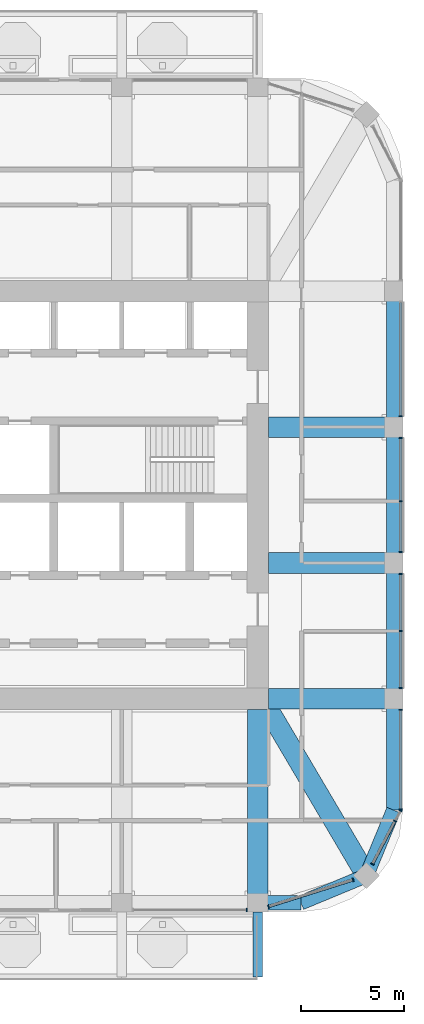
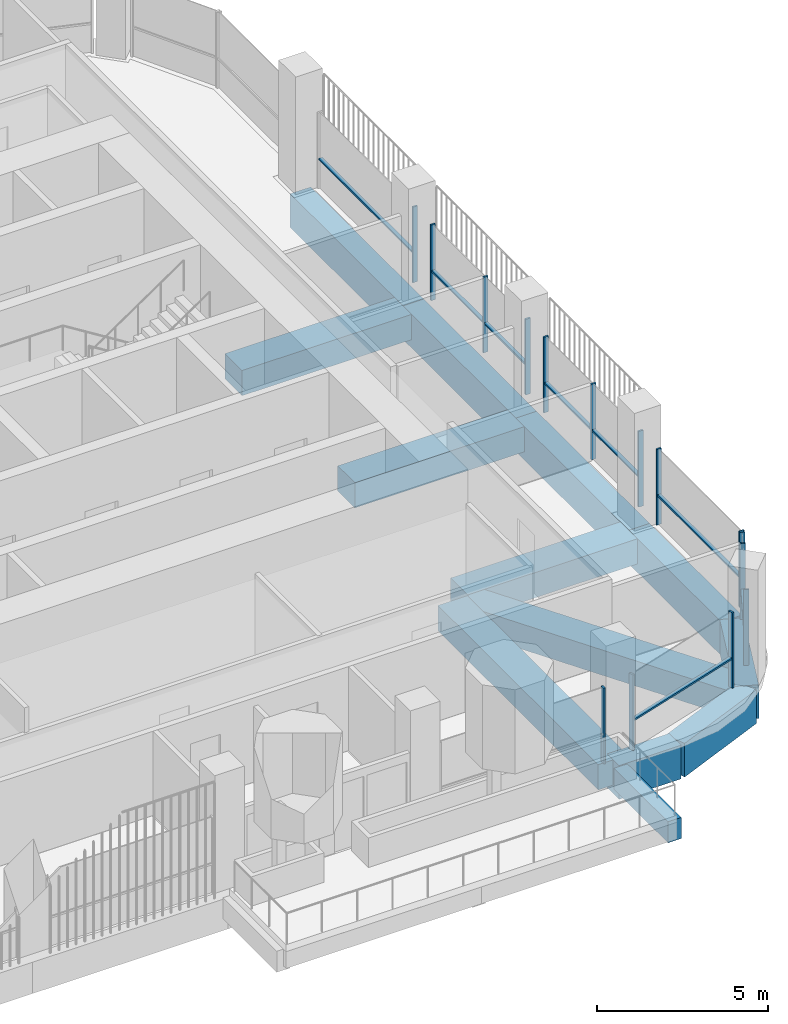
# One storey, part 5 of 21: 23 members, 13 beams, 7 elements without a shape of their own.
"""IFC4 building model written with IfcOpenShell, lengths in metres."""

import ifcopenshell
import ifcopenshell.guid

model = None  # the IFC model being written
_history = None  # IfcOwnerHistory: only IFC2X3 demands one
_inside = {}  # id of a spatial element -> (the spatial element, [elements in it])
_under = {}  # id of a project, library or spatial element -> (it, [spatial elements below it])
_declared = {}  # id of a project -> (the project, [libraries it declares])
_typed = {}  # id of a type object -> (the type object, [elements of that type])
_made_of = {}  # id of a material, layer set ... -> (it, [elements and type objects made of it])


def new_model(schema):
    """Start an empty IFC model of exactly this schema.

    Asked for "IFC4X3", IfcOpenShell would pick the latest addendum, in which some entities
    have other attributes; the version numbers below select the first issue.
    IFC2X3 requires an IfcOwnerHistory on every rooted entity: one is made here for all.
    """
    global model, _history
    if schema == "IFC4X3":
        model = ifcopenshell.file(schema_version=(4, 3, 0, 0))
    else:
        model = ifcopenshell.file(schema=schema)
    _inside.clear()
    _under.clear()
    _declared.clear()
    _typed.clear()
    _made_of.clear()
    _history = None
    if model.schema == "IFC2X3":
        org = make("IfcOrganization", Name="unknown")
        user = make(
            "IfcPersonAndOrganization",
            ThePerson=make("IfcPerson", FamilyName="unknown"),
            TheOrganization=org,
        )
        app = make(
            "IfcApplication",
            ApplicationDeveloper=org,
            Version="unknown",
            ApplicationFullName="unknown",
            ApplicationIdentifier="unknown",
        )
        _history = make(
            "IfcOwnerHistory",
            OwningUser=user,
            OwningApplication=app,
            ChangeAction="ADDED",
            CreationDate=0,
        )
    return model


def make(cls, **values):
    """One entity of the class cls with the attributes given. An attribute that is None is left unset."""
    return model.create_entity(
        cls, **{name: value for name, value in values.items() if value is not None}
    )


def rooted(cls, **values):
    """An entity with a GlobalId (a new one), such as an element, a storey or a relation."""
    return make(cls, GlobalId=ifcopenshell.guid.new(), OwnerHistory=_history, **values)


def si_unit(unit_type, name, prefix=None):
    """IfcSIUnit, for example si_unit("LENGTHUNIT", "METRE", prefix="MILLI")."""
    return make("IfcSIUnit", UnitType=unit_type, Prefix=prefix, Name=name)


def assignment(units):
    """IfcUnitAssignment: the units of a project."""
    return None if units is None else make("IfcUnitAssignment", Units=units)


def point(xyz):
    """IfcCartesianPoint."""
    return None if xyz is None else make("IfcCartesianPoint", Coordinates=xyz)


def direction(xyz):
    """IfcDirection."""
    return None if xyz is None else make("IfcDirection", DirectionRatios=xyz)


def frame(location, z_axis=None, x_axis=None):
    """IfcAxis2Placement3D, a coordinate frame: its origin and axes. An axis left out is left unset."""
    return make(
        "IfcAxis2Placement3D",
        Location=point(location),
        Axis=direction(z_axis),
        RefDirection=direction(x_axis),
    )


def frame_2d(location, x_axis=None):
    """IfcAxis2Placement2D, a coordinate frame in the plane: its origin and x axis."""
    return make(
        "IfcAxis2Placement2D", Location=point(location), RefDirection=direction(x_axis)
    )


def origin():
    """The frame at (0, 0, 0) with its axes left unset."""
    return frame((0.0, 0.0, 0.0))


def origin_2d():
    """The frame at (0, 0) in the plane with its x axis left unset."""
    return frame_2d((0.0, 0.0))


def place(relative_to, where):
    """IfcLocalPlacement: puts the frame where relative to a parent placement (None: the world)."""
    return make(
        "IfcLocalPlacement", PlacementRelTo=relative_to, RelativePlacement=where
    )


def context(
    kind, dimensions, precision=None, world=None, true_north=None, identifier=None
):
    """IfcGeometricRepresentationContext, for example the 3D "Model" context."""
    return make(
        "IfcGeometricRepresentationContext",
        ContextIdentifier=identifier,
        ContextType=kind,
        CoordinateSpaceDimension=dimensions,
        Precision=precision,
        WorldCoordinateSystem=world,
        TrueNorth=true_north,
    )


def subcontext(parent, identifier, kind, view, scale=None):
    """IfcGeometricRepresentationSubContext, for example "Body" below "Model"."""
    return make(
        "IfcGeometricRepresentationSubContext",
        ContextIdentifier=identifier,
        ContextType=kind,
        ParentContext=parent,
        TargetScale=scale,
        TargetView=view,
    )


def project(units=None, contexts=None):
    """IfcProject with its units and contexts."""
    return rooted(
        "IfcProject",
        Name="project",
        RepresentationContexts=contexts,
        UnitsInContext=assignment(units),
    )


def spatial(cls, under=None, at=None, **own):
    """A site, building, storey or space (cls), placed at a placement, below another one or the project."""
    s = rooted(cls, ObjectPlacement=at, **own)
    if under is not None:
        _under.setdefault(under.id(), (under, []))[1].append(s)
    return s


def profile(cls, at=None, kind="AREA", **sizes):
    """A parametric profile (cls). Its sizes go by their IFC names, for example OverallWidth=200.0."""
    return make(cls, ProfileType=kind, Position=at, **sizes)


def rectangle(**sizes):
    """IfcRectangleProfileDef."""
    return profile("IfcRectangleProfileDef", **sizes)


def extrude(swept, where, along, depth):
    """IfcExtrudedAreaSolid: the profile swept, set in the frame where, extruded along a direction by depth."""
    return make(
        "IfcExtrudedAreaSolid",
        SweptArea=swept,
        Position=where,
        ExtrudedDirection=direction(along),
        Depth=depth,
    )


def shape(context_of_items, identifier, shape_type, items):
    """IfcShapeRepresentation: the items that make up one representation, for example the "Body"."""
    return make(
        "IfcShapeRepresentation",
        ContextOfItems=context_of_items,
        RepresentationIdentifier=identifier,
        RepresentationType=shape_type,
        Items=items,
    )


def material(Name=None, Category=None):
    """IfcMaterial."""
    return make("IfcMaterial", Name=Name, Category=Category)


def material_profile(
    of_material, cross_section, Name=None, Category=None, Priority=None
):
    """IfcMaterialProfile: a cross section and its material."""
    return make(
        "IfcMaterialProfile",
        Name=Name,
        Material=of_material,
        Profile=cross_section,
        Priority=Priority,
        Category=Category,
    )


def profile_set(profiles, Name=None, composite=None):
    """IfcMaterialProfileSet."""
    return make(
        "IfcMaterialProfileSet",
        Name=Name,
        MaterialProfiles=profiles,
        CompositeProfile=composite,
    )


def made_of(thing, what):
    """Note that an element or type object is made of a material, layer set ...; save() writes the relation."""
    if what is not None:
        _made_of.setdefault(what.id(), (what, []))[1].append(thing)
    return thing


def type_object(cls, material=None, **own):
    """A type object (cls), such as IfcWallType, which elements share."""
    return made_of(rooted(cls, **own), material)


def element(
    cls,
    number,
    at=None,
    inside=None,
    cuts=None,
    type_object=None,
    material=None,
    context=None,
    identifier="Body",
    shape_type=None,
    held_by="IfcProductDefinitionShape",
    body=None,
    shapes=None,
    **own,
):
    """One element of the class cls, such as IfcWall. Its Tag is "e" and its number.

    at: its placement. inside: the storey or other place that contains it. cuts: it is an
    opening in that element (IfcRelVoidsElement). A single representation is given by context,
    identifier, shape_type and body (its items); several are given by shapes. held_by: the class
    of the entity that holds the representations. save() writes the other relations.
    """
    e = rooted(cls, Tag="e%d" % number, ObjectPlacement=at, **own)
    if body is not None:
        shapes = [shape(context, identifier, shape_type, body)]
    if shapes is not None:
        e.Representation = make(held_by, Representations=shapes)
    if inside is not None:
        _inside.setdefault(inside.id(), (inside, []))[1].append(e)
    if cuts is not None:
        rooted(
            "IfcRelVoidsElement", RelatingBuildingElement=cuts, RelatedOpeningElement=e
        )
    if type_object is not None:
        _typed.setdefault(type_object.id(), (type_object, []))[1].append(e)
    return made_of(e, material)


def aggregate(whole, parts):
    """IfcRelAggregates: a whole, such as a stair, and the parts it consists of."""
    return rooted("IfcRelAggregates", RelatingObject=whole, RelatedObjects=parts)


def save(model, path):
    """Write the relations noted so far, then the file.

    IfcRelAggregates (storeys below a building ...), IfcRelContainedInSpatialStructure (elements
    in a storey), IfcRelDefinesByType, IfcRelAssociatesMaterial and IfcRelDeclares: one each for
    every whole, place, type object, material and project.
    """
    for whole, parts in _under.values():
        aggregate(whole, parts)
    for where, things in _inside.values():
        rooted(
            "IfcRelContainedInSpatialStructure",
            RelatedElements=things,
            RelatingStructure=where,
        )
    for kind, things in _typed.values():
        rooted("IfcRelDefinesByType", RelatedObjects=things, RelatingType=kind)
    for what, things in _made_of.values():
        rooted("IfcRelAssociatesMaterial", RelatedObjects=things, RelatingMaterial=what)
    for by, libraries in _declared.values():
        rooted("IfcRelDeclares", RelatingContext=by, RelatedDefinitions=libraries)
    model.write(path)


model = new_model("IFC4")

# Units and contexts
model_context = context("Model", 3, precision=1e-05, world=origin(), true_north=direction((0.0, 1.0)))
body_context = subcontext(model_context, "Body", "Model", "MODEL_VIEW")
ifc_project = project(units=[si_unit("LENGTHUNIT", "METRE"), si_unit("AREAUNIT", "SQUARE_METRE"), si_unit("VOLUMEUNIT", "CUBIC_METRE"), si_unit("PLANEANGLEUNIT", "RADIAN"), si_unit("MASSUNIT", "GRAM", prefix="KILO")], contexts=[model_context])

# Site, building, storey
site_placement = place(None, origin())
site = spatial("IfcSite", under=ifc_project, at=site_placement, CompositionType="ELEMENT")
building_placement = place(site_placement, origin())
building = spatial("IfcBuilding", under=site, at=building_placement, Name="Cobogo Forest Laboratory Tower", CompositionType="ELEMENT")
storey_placement = place(building_placement, frame((0.0, 0.0, 267.0)))
storey = spatial("IfcBuildingStorey", under=building, at=storey_placement, Name="L61", CompositionType="ELEMENT", Elevation=267.0)

# Beam
ifc_material_1 = material(Name="Concrete HA-40 (C40/50)", Category="concrete")
ifc_material_profile_1 = material_profile(ifc_material_1, rectangle(XDim=0.449951171875, YDim=0.75, at=origin_2d()), Name="RC 450x750")
ifc_profile_set_1 = profile_set([ifc_material_profile_1], Name="Concrete HA-40 (C40/50)")
beam_type_1 = type_object("IfcBeamType", Name="Balcony cantilever beam 450x750", PredefinedType="BEAM", material=ifc_profile_set_1)
beam_1_placement = place(storey_placement, frame((39.60009765625, 2.85009765625, -0.625), z_axis=(0.0, -1.0, 0.0), x_axis=(1.0, 0.0, 0.0)))
element("IfcBeam", 1, at=beam_1_placement, inside=storey, type_object=beam_type_1, Name="CB1 BAL-S1-C3 L61", PredefinedType="BEAM", context=body_context, shape_type="SweptSolid", body=[
    extrude(rectangle(XDim=0.449951171875, YDim=0.75, at=origin_2d()), origin(), (0.0, 0.0, 1.0), 3.150146484375),
])

# Curtain wall, member
ifc_material_2 = material(Name="Aluminium curtain wall", Category="aluminium")
curtain_wall_type = type_object("IfcCurtainWallType", Name="CW-2 unitised curtain wall, solar control glazing, laboratory floors zones C and D", PredefinedType="USERDEFINED", material=ifc_material_2)
curtain_wall_1_placement = place(storey_placement, origin())
curtain_wall_1 = element("IfcCurtainWall", 2, at=curtain_wall_1_placement, inside=storey, type_object=curtain_wall_type, Name="Curtain wall 04 L61", ObjectType="UNITISED CURTAIN WALL", PredefinedType="USERDEFINED")
ifc_material_3 = material(Name="Aluminium mullion", Category="aluminium")
ifc_material_profile_2 = material_profile(ifc_material_3, rectangle(XDim=0.06005859375, YDim=0.159912109375, at=origin_2d()), Name="AL 60x160")
ifc_profile_set_2 = profile_set([ifc_material_profile_2], Name="Aluminium mullion")
member_type_1 = type_object("IfcMemberType", Name="MU-1 aluminium mullion 60x160", PredefinedType="MULLION", material=ifc_profile_set_2)
member_1_placement = place(storey_placement, frame((39.070068359375, 2.949951171875, 0.0), z_axis=(0.0, 0.0, 1.0), x_axis=(1.0, 0.0, 0.0)))
member_1 = element("IfcMember", 3, at=member_1_placement, type_object=member_type_1, Name="CW-2 mullion 2", PredefinedType="MULLION", context=body_context, shape_type="SweptSolid", body=[
    extrude(rectangle(XDim=0.06005859375, YDim=0.159912109375, at=origin_2d()), origin(), (0.0, 0.0, 1.0), 2.699951171875),
])
aggregate(curtain_wall_1, [member_1])

# Curtain wall, members
curtain_wall_2_placement = place(storey_placement, origin())
curtain_wall_2 = element("IfcCurtainWall", 4, at=curtain_wall_2_placement, inside=storey, type_object=curtain_wall_type, Name="Curtain wall 05 L61", ObjectType="UNITISED CURTAIN WALL", PredefinedType="USERDEFINED")
member_2_placement = place(storey_placement, frame((40.128662109375, 3.116943359375, 0.0), z_axis=(0.0, 0.0, 1.0), x_axis=(0.953581379409, 0.301135439371, 0.0)))
member_2 = element("IfcMember", 5, at=member_2_placement, type_object=member_type_1, Name="CW-2 mullion 1", PredefinedType="MULLION", context=body_context, shape_type="SweptSolid", body=[
    extrude(rectangle(XDim=0.06005859375, YDim=0.159912109375, at=origin_2d()), origin(), (0.0, 0.0, 1.0), 2.699951171875),
])
member_3_placement = place(storey_placement, frame((44.22998046875, 4.412109375, 0.0), z_axis=(0.0, 0.0, 1.0), x_axis=(0.953581379409, 0.301135439371, 0.0)))
member_3 = element("IfcMember", 6, at=member_3_placement, type_object=member_type_1, Name="CW-2 mullion 2", PredefinedType="MULLION", context=body_context, shape_type="SweptSolid", body=[
    extrude(rectangle(XDim=0.06005859375, YDim=0.159912109375, at=origin_2d()), origin(), (0.0, 0.0, 1.0), 2.699951171875),
])

curtain_wall_3_placement = place(storey_placement, origin())
curtain_wall_3 = element("IfcCurtainWall", 7, at=curtain_wall_3_placement, inside=storey, type_object=curtain_wall_type, Name="Curtain wall 06 L61", ObjectType="UNITISED CURTAIN WALL", PredefinedType="USERDEFINED")
member_4_placement = place(storey_placement, frame((45.177978515625, 5.1826171875, 0.0), z_axis=(0.0, 0.0, 1.0), x_axis=(0.464283778337, 0.885686498245, 0.0)))
member_4 = element("IfcMember", 8, at=member_4_placement, type_object=member_type_1, Name="CW-2 mullion 1", PredefinedType="MULLION", context=body_context, shape_type="SweptSolid", body=[
    extrude(rectangle(XDim=0.06005859375, YDim=0.159912109375, at=origin_2d()), origin(), (0.0, 0.0, 1.0), 2.699951171875),
])
member_5_placement = place(storey_placement, frame((46.268310546875, 7.262939453125, 0.0), z_axis=(0.0, 0.0, 1.0), x_axis=(0.464283778337, 0.885686498245, 0.0)))
member_5 = element("IfcMember", 9, at=member_5_placement, type_object=member_type_1, Name="CW-2 mullion 2", PredefinedType="MULLION", context=body_context, shape_type="SweptSolid", body=[
    extrude(rectangle(XDim=0.06005859375, YDim=0.159912109375, at=origin_2d()), origin(), (0.0, 0.0, 1.0), 2.699951171875),
])
member_6_placement = place(storey_placement, frame((46.5361328125, 7.7734375, 0.0), z_axis=(0.0, 0.0, 1.0), x_axis=(0.464283778337, 0.885686498245, 0.0)))
member_6 = element("IfcMember", 10, at=member_6_placement, type_object=member_type_1, Name="CW-2 mullion 3", PredefinedType="MULLION", context=body_context, shape_type="SweptSolid", body=[
    extrude(rectangle(XDim=0.06005859375, YDim=0.159912109375, at=origin_2d()), origin(), (0.0, 0.0, 1.0), 2.699951171875),
])

curtain_wall_4_placement = place(storey_placement, origin())
curtain_wall_4 = element("IfcCurtainWall", 11, at=curtain_wall_4_placement, inside=storey, type_object=curtain_wall_type, Name="Curtain wall 07 L61", ObjectType="UNITISED CURTAIN WALL", PredefinedType="USERDEFINED")
member_7_placement = place(storey_placement, frame((46.550048828125, 7.830078125, 0.0), z_axis=(0.0, 0.0, 1.0), x_axis=(0.0, 1.0, 0.0)))
member_7 = element("IfcMember", 12, at=member_7_placement, type_object=member_type_1, Name="CW-2 mullion 1", PredefinedType="MULLION", context=body_context, shape_type="SweptSolid", body=[
    extrude(rectangle(XDim=0.06005859375, YDim=0.159912109375, at=origin_2d()), origin(), (0.0, 0.0, 1.0), 2.699951171875),
])
member_8_placement = place(storey_placement, frame((46.550048828125, 12.669921875, 0.0), z_axis=(0.0, 0.0, 1.0), x_axis=(0.0, 1.0, 0.0)))
member_8 = element("IfcMember", 13, at=member_8_placement, type_object=member_type_1, Name="CW-2 mullion 2", PredefinedType="MULLION", context=body_context, shape_type="SweptSolid", body=[
    extrude(rectangle(XDim=0.06005859375, YDim=0.159912109375, at=origin_2d()), origin(), (0.0, 0.0, 1.0), 2.699951171875),
])

curtain_wall_5_placement = place(storey_placement, origin())
curtain_wall_5 = element("IfcCurtainWall", 14, at=curtain_wall_5_placement, inside=storey, type_object=curtain_wall_type, Name="Curtain wall 08 L61", ObjectType="UNITISED CURTAIN WALL", PredefinedType="USERDEFINED")
member_9_placement = place(storey_placement, frame((46.550048828125, 13.72998046875, 0.0), z_axis=(0.0, 0.0, 1.0), x_axis=(0.0, 1.0, 0.0)))
member_9 = element("IfcMember", 15, at=member_9_placement, type_object=member_type_1, Name="CW-2 mullion 1", PredefinedType="MULLION", context=body_context, shape_type="SweptSolid", body=[
    extrude(rectangle(XDim=0.06005859375, YDim=0.159912109375, at=origin_2d()), origin(), (0.0, 0.0, 1.0), 2.699951171875),
])
member_10_placement = place(storey_placement, frame((46.550048828125, 16.5, 0.0), z_axis=(0.0, 0.0, 1.0), x_axis=(0.0, 1.0, 0.0)))
member_10 = element("IfcMember", 16, at=member_10_placement, type_object=member_type_1, Name="CW-2 mullion 2", PredefinedType="MULLION", context=body_context, shape_type="SweptSolid", body=[
    extrude(rectangle(XDim=0.06005859375, YDim=0.159912109375, at=origin_2d()), origin(), (0.0, 0.0, 1.0), 2.699951171875),
])
member_11_placement = place(storey_placement, frame((46.550048828125, 19.27001953125, 0.0), z_axis=(0.0, 0.0, 1.0), x_axis=(0.0, 1.0, 0.0)))
member_11 = element("IfcMember", 17, at=member_11_placement, type_object=member_type_1, Name="CW-2 mullion 3", PredefinedType="MULLION", context=body_context, shape_type="SweptSolid", body=[
    extrude(rectangle(XDim=0.06005859375, YDim=0.159912109375, at=origin_2d()), origin(), (0.0, 0.0, 1.0), 2.699951171875),
])

curtain_wall_6_placement = place(storey_placement, origin())
curtain_wall_6 = element("IfcCurtainWall", 18, at=curtain_wall_6_placement, inside=storey, type_object=curtain_wall_type, Name="Curtain wall 09 L61", ObjectType="UNITISED CURTAIN WALL", PredefinedType="USERDEFINED")
member_12_placement = place(storey_placement, frame((46.550048828125, 20.330078125, 0.0), z_axis=(0.0, 0.0, 1.0), x_axis=(0.0, 1.0, 0.0)))
member_12 = element("IfcMember", 19, at=member_12_placement, type_object=member_type_1, Name="CW-2 mullion 1", PredefinedType="MULLION", context=body_context, shape_type="SweptSolid", body=[
    extrude(rectangle(XDim=0.06005859375, YDim=0.159912109375, at=origin_2d()), origin(), (0.0, 0.0, 1.0), 2.699951171875),
])
member_13_placement = place(storey_placement, frame((46.550048828125, 22.800048828125, 0.0), z_axis=(0.0, 0.0, 1.0), x_axis=(0.0, 1.0, 0.0)))
member_13 = element("IfcMember", 20, at=member_13_placement, type_object=member_type_1, Name="CW-2 mullion 2", PredefinedType="MULLION", context=body_context, shape_type="SweptSolid", body=[
    extrude(rectangle(XDim=0.06005859375, YDim=0.159912109375, at=origin_2d()), origin(), (0.0, 0.0, 1.0), 2.699951171875),
])
member_14_placement = place(storey_placement, frame((46.550048828125, 25.8701171875, 0.0), z_axis=(0.0, 0.0, 1.0), x_axis=(0.0, 1.0, 0.0)))
member_14 = element("IfcMember", 21, at=member_14_placement, type_object=member_type_1, Name="CW-2 mullion 3", PredefinedType="MULLION", context=body_context, shape_type="SweptSolid", body=[
    extrude(rectangle(XDim=0.06005859375, YDim=0.159912109375, at=origin_2d()), origin(), (0.0, 0.0, 1.0), 2.699951171875),
])

# Curtain wall, member
curtain_wall_7_placement = place(storey_placement, origin())
curtain_wall_7 = element("IfcCurtainWall", 22, at=curtain_wall_7_placement, inside=storey, type_object=curtain_wall_type, Name="Curtain wall 10 L61", ObjectType="UNITISED CURTAIN WALL", PredefinedType="USERDEFINED")
member_15_placement = place(storey_placement, frame((46.550048828125, 26.929931640625, 0.0), z_axis=(0.0, 0.0, 1.0), x_axis=(0.0, 1.0, 0.0)))
member_15 = element("IfcMember", 23, at=member_15_placement, type_object=member_type_1, Name="CW-2 mullion 1", PredefinedType="MULLION", context=body_context, shape_type="SweptSolid", body=[
    extrude(rectangle(XDim=0.06005859375, YDim=0.159912109375, at=origin_2d()), origin(), (0.0, 0.0, 1.0), 2.699951171875),
])

# Beams
ifc_material_profile_3 = material_profile(ifc_material_1, rectangle(XDim=1.0, YDim=0.89990234375, at=origin_2d()), Name="RC 1000x900")
ifc_profile_set_3 = profile_set([ifc_material_profile_3], Name="Concrete HA-40 (C40/50)")
beam_type_2 = type_object("IfcBeamType", Name="Office floor wide beam 1000x900", PredefinedType="BEAM", material=ifc_profile_set_3)
beam_2_placement = place(storey_placement, frame((39.60009765625, 12.675048828125, -0.75), z_axis=(0.0, -1.0, 0.0), x_axis=(1.0, 0.0, 0.0)))
element("IfcBeam", 24, at=beam_2_placement, inside=storey, type_object=beam_type_2, Name="RB2 R-7-S L61", PredefinedType="BEAM", context=body_context, shape_type="SweptSolid", body=[
    extrude(rectangle(XDim=1.0, YDim=0.89990234375, at=origin_2d()), origin(), (0.0, 0.0, 1.0), 9.375),
])
for number, where, z_axis, x_axis, name in (
    (25, (40.125, 13.199951171875, -0.75), (1.0, 0.0, 0.0), (0.0, 1.0, 0.0), "RB2 R-C-E L61"),
    (26, (40.125, 19.800048828125, -0.75), (1.0, 0.0, 0.0), (0.0, 1.0, 0.0), "RB2 R-D-E L61"),
    (27, (40.125, 26.39990234375, -0.75), (1.0, 0.0, 0.0), (0.0, 1.0, 0.0), "RB2 R-E-E L61"),
):
    element("IfcBeam", number, at=place(storey_placement, frame(where, z_axis=z_axis, x_axis=x_axis)), inside=storey, type_object=beam_type_2, Name=name, PredefinedType="BEAM", context=body_context, shape_type="SweptSolid", body=[
        extrude(rectangle(XDim=1.0, YDim=0.89990234375, at=origin_2d()), origin(), (0.0, 0.0, 1.0), 6.074951171875),
    ])
beam_3_placement = place(storey_placement, frame((44.882080078125, 4.617919921875, -0.75), z_axis=(-0.508416325908, 0.861111397875, 0.0), x_axis=(-0.861111397875, -0.508416325908, 0.0)))
element("IfcBeam", 28, at=beam_3_placement, inside=storey, type_object=beam_type_2, Name="RB2 G-SE-D1 L61", PredefinedType="BEAM", context=body_context, shape_type="SweptSolid", body=[
    extrude(rectangle(XDim=1.0, YDim=0.89990234375, at=origin_2d()), origin(), (0.0, 0.0, 1.0), 9.356689453125),
])
ifc_material_profile_4 = material_profile(ifc_material_1, rectangle(XDim=0.699951171875, YDim=1.199951171875, at=origin_2d()), Name="RC 700x1200")
ifc_profile_set_4 = profile_set([ifc_material_profile_4], Name="Concrete HA-40 (C40/50)")
beam_type_3 = type_object("IfcBeamType", Name="Perimeter edge beam 700x1200", PredefinedType="BEAM", material=ifc_profile_set_4)
beam_4_placement = place(storey_placement, frame((46.199951171875, 13.199951171875, -0.89990234375), z_axis=(0.0, 1.0, 0.0), x_axis=(-1.0, 0.0, 0.0)))
element("IfcBeam", 29, at=beam_4_placement, inside=storey, type_object=beam_type_3, Name="EB1 E-E1 L61", PredefinedType="BEAM", context=body_context, shape_type="SweptSolid", body=[
    extrude(rectangle(XDim=0.699951171875, YDim=1.199951171875, at=origin_2d()), origin(), (0.0, 0.0, 1.0), 6.60009765625),
])
beam_5_placement = place(storey_placement, frame((46.199951171875, 19.800048828125, -0.89990234375), z_axis=(0.0, 1.0, 0.0), x_axis=(-1.0, 0.0, 0.0)))
element("IfcBeam", 30, at=beam_5_placement, inside=storey, type_object=beam_type_3, Name="EB1 E-E2 L61", PredefinedType="BEAM", context=body_context, shape_type="SweptSolid", body=[
    extrude(rectangle(XDim=0.699951171875, YDim=1.199951171875, at=origin_2d()), origin(), (0.0, 0.0, 1.0), 6.599853515625),
])
beam_6_placement = place(storey_placement, frame((46.199951171875, 26.39990234375, -0.89990234375), z_axis=(0.0, 1.0, 0.0), x_axis=(-1.0, 0.0, 0.0)))
element("IfcBeam", 31, at=beam_6_placement, inside=storey, type_object=beam_type_3, Name="EB1 E-E3 L61", PredefinedType="BEAM", context=body_context, shape_type="SweptSolid", body=[
    extrude(rectangle(XDim=0.699951171875, YDim=1.199951171875, at=origin_2d()), origin(), (0.0, 0.0, 1.0), 6.60009765625),
])
beam_7_placement = place(storey_placement, frame((39.60009765625, 3.300048828125, -0.89990234375), z_axis=(1.0, 0.0, 0.0), x_axis=(0.0, 1.0, 0.0)))
element("IfcBeam", 32, at=beam_7_placement, inside=storey, type_object=beam_type_3, Name="EB1 E-SES1 L61", PredefinedType="BEAM", context=body_context, shape_type="SweptSolid", body=[
    extrude(rectangle(XDim=0.699951171875, YDim=1.199951171875, at=origin_2d()), origin(), (0.0, 0.0, 1.0), 2.099853515625),
])
beam_8_placement = place(storey_placement, frame((41.699951171875, 3.300048828125, -0.89990234375), z_axis=(0.923901072997, 0.382631424892, 0.0), x_axis=(-0.382631424892, 0.923901072997, 0.0)))
element("IfcBeam", 33, at=beam_8_placement, inside=storey, type_object=beam_type_3, Name="EB1 E-SES2 L61", PredefinedType="BEAM", context=body_context, shape_type="SweptSolid", body=[
    extrude(rectangle(XDim=0.699951171875, YDim=1.199951171875, at=origin_2d()), origin(), (0.0, 0.0, 1.0), 3.4443359375),
])
beam_9_placement = place(storey_placement, frame((46.199951171875, 13.199951171875, -0.89990234375), z_axis=(0.0, -1.0, 0.0), x_axis=(1.0, 0.0, 0.0)))
element("IfcBeam", 34, at=beam_9_placement, inside=storey, type_object=beam_type_3, Name="EB1 E-SEE1 L61", PredefinedType="BEAM", context=body_context, shape_type="SweptSolid", body=[
    extrude(rectangle(XDim=0.699951171875, YDim=1.199951171875, at=origin_2d()), origin(), (0.0, 0.0, 1.0), 5.39990234375),
])
beam_10_placement = place(storey_placement, frame((46.199951171875, 7.800048828125, -0.89990234375), z_axis=(-0.382631424892, -0.923901072997, 0.0), x_axis=(0.923901072997, -0.382631424892, 0.0)))
element("IfcBeam", 35, at=beam_10_placement, inside=storey, type_object=beam_type_3, Name="EB1 E-SEE2 L61", PredefinedType="BEAM", context=body_context, shape_type="SweptSolid", body=[
    extrude(rectangle(XDim=0.699951171875, YDim=1.199951171875, at=origin_2d()), origin(), (0.0, 0.0, 1.0), 3.4443359375),
])

# Member
ifc_material_4 = material(Name="Aluminium transom", Category="aluminium")
ifc_material_profile_5 = material_profile(ifc_material_4, rectangle(XDim=0.1201171875, YDim=0.06005859375, at=origin_2d()), Name="AL 60x120")
ifc_profile_set_5 = profile_set([ifc_material_profile_5], Name="Aluminium transom")
member_type_2 = type_object("IfcMemberType", Name="TR-1 aluminium transom 60x120", PredefinedType="USERDEFINED", material=ifc_profile_set_5)
member_16_placement = place(storey_placement, frame((40.1572265625, 3.1259765625, 1.050048828125), z_axis=(0.953583535148, 0.30112861288, 0.0), x_axis=(-0.30112861288, 0.953583535148, 0.0)))
member_16 = element("IfcMember", 36, at=member_16_placement, type_object=member_type_2, Name="CW-2 transom 1.1", ObjectType="TRANSOM", PredefinedType="USERDEFINED", context=body_context, shape_type="SweptSolid", body=[
    extrude(rectangle(XDim=0.1201171875, YDim=0.06005859375, at=origin_2d()), origin(), (0.0, 0.0, 1.0), 4.240966796875),
])

aggregate(curtain_wall_2, [member_2, member_3, member_16])

member_17_placement = place(storey_placement, frame((45.19189453125, 5.209228515625, 1.050048828125), z_axis=(0.46424215306, 0.885708317293, 0.0), x_axis=(-0.885708317293, 0.46424215306, 0.0)))
member_17 = element("IfcMember", 37, at=member_17_placement, type_object=member_type_2, Name="CW-2 transom 1.1", ObjectType="TRANSOM", PredefinedType="USERDEFINED", context=body_context, shape_type="SweptSolid", body=[
    extrude(rectangle(XDim=0.1201171875, YDim=0.06005859375, at=origin_2d()), origin(), (0.0, 0.0, 1.0), 2.28857421875),
])

aggregate(curtain_wall_3, [member_4, member_5, member_6, member_17])

member_18_placement = place(storey_placement, frame((46.550048828125, 7.860107421875, 1.050048828125), z_axis=(0.0, 1.0, 0.0), x_axis=(-1.0, 0.0, 0.0)))
member_18 = element("IfcMember", 38, at=member_18_placement, type_object=member_type_2, Name="CW-2 transom 1.1", ObjectType="TRANSOM", PredefinedType="USERDEFINED", context=body_context, shape_type="SweptSolid", body=[
    extrude(rectangle(XDim=0.1201171875, YDim=0.06005859375, at=origin_2d()), origin(), (0.0, 0.0, 1.0), 4.77978515625),
])

aggregate(curtain_wall_4, [member_7, member_8, member_18])

member_19_placement = place(storey_placement, frame((46.550048828125, 13.760009765625, 1.050048828125), z_axis=(0.0, 1.0, 0.0), x_axis=(-1.0, 0.0, 0.0)))
member_19 = element("IfcMember", 39, at=member_19_placement, type_object=member_type_2, Name="CW-2 transom 1.1", ObjectType="TRANSOM", PredefinedType="USERDEFINED", context=body_context, shape_type="SweptSolid", body=[
    extrude(rectangle(XDim=0.1201171875, YDim=0.06005859375, at=origin_2d()), origin(), (0.0, 0.0, 1.0), 2.7099609375),
])

member_20_placement = place(storey_placement, frame((46.550048828125, 16.530029296875, 1.050048828125), z_axis=(0.0, 1.0, 0.0), x_axis=(-1.0, 0.0, 0.0)))
member_20 = element("IfcMember", 40, at=member_20_placement, type_object=member_type_2, Name="CW-2 transom 2.1", ObjectType="TRANSOM", PredefinedType="USERDEFINED", context=body_context, shape_type="SweptSolid", body=[
    extrude(rectangle(XDim=0.1201171875, YDim=0.06005859375, at=origin_2d()), origin(), (0.0, 0.0, 1.0), 2.7099609375),
])

aggregate(curtain_wall_5, [member_9, member_10, member_11, member_19, member_20])

member_21_placement = place(storey_placement, frame((46.550048828125, 20.360107421875, 1.050048828125), z_axis=(0.0, 1.0, 0.0), x_axis=(-1.0, 0.0, 0.0)))
member_21 = element("IfcMember", 41, at=member_21_placement, type_object=member_type_2, Name="CW-2 transom 1.1", ObjectType="TRANSOM", PredefinedType="USERDEFINED", context=body_context, shape_type="SweptSolid", body=[
    extrude(rectangle(XDim=0.1201171875, YDim=0.06005859375, at=origin_2d()), origin(), (0.0, 0.0, 1.0), 2.409912109375),
])

member_22_placement = place(storey_placement, frame((46.550048828125, 22.830078125, 1.050048828125), z_axis=(0.0, 1.0, 0.0), x_axis=(-1.0, 0.0, 0.0)))
member_22 = element("IfcMember", 42, at=member_22_placement, type_object=member_type_2, Name="CW-2 transom 2.1", ObjectType="TRANSOM", PredefinedType="USERDEFINED", context=body_context, shape_type="SweptSolid", body=[
    extrude(rectangle(XDim=0.1201171875, YDim=0.06005859375, at=origin_2d()), origin(), (0.0, 0.0, 1.0), 3.010009765625),
])

aggregate(curtain_wall_6, [member_12, member_13, member_14, member_21, member_22])

member_23_placement = place(storey_placement, frame((46.550048828125, 26.9599609375, 1.050048828125), z_axis=(0.0, 1.0, 0.0), x_axis=(-1.0, 0.0, 0.0)))
member_23 = element("IfcMember", 43, at=member_23_placement, type_object=member_type_2, Name="CW-2 transom 1.1", ObjectType="TRANSOM", PredefinedType="USERDEFINED", context=body_context, shape_type="SweptSolid", body=[
    extrude(rectangle(XDim=0.1201171875, YDim=0.06005859375, at=origin_2d()), origin(), (0.0, 0.0, 1.0), 5.47998046875),
])

aggregate(curtain_wall_7, [member_15, member_23])

save(model, "model.ifc")
